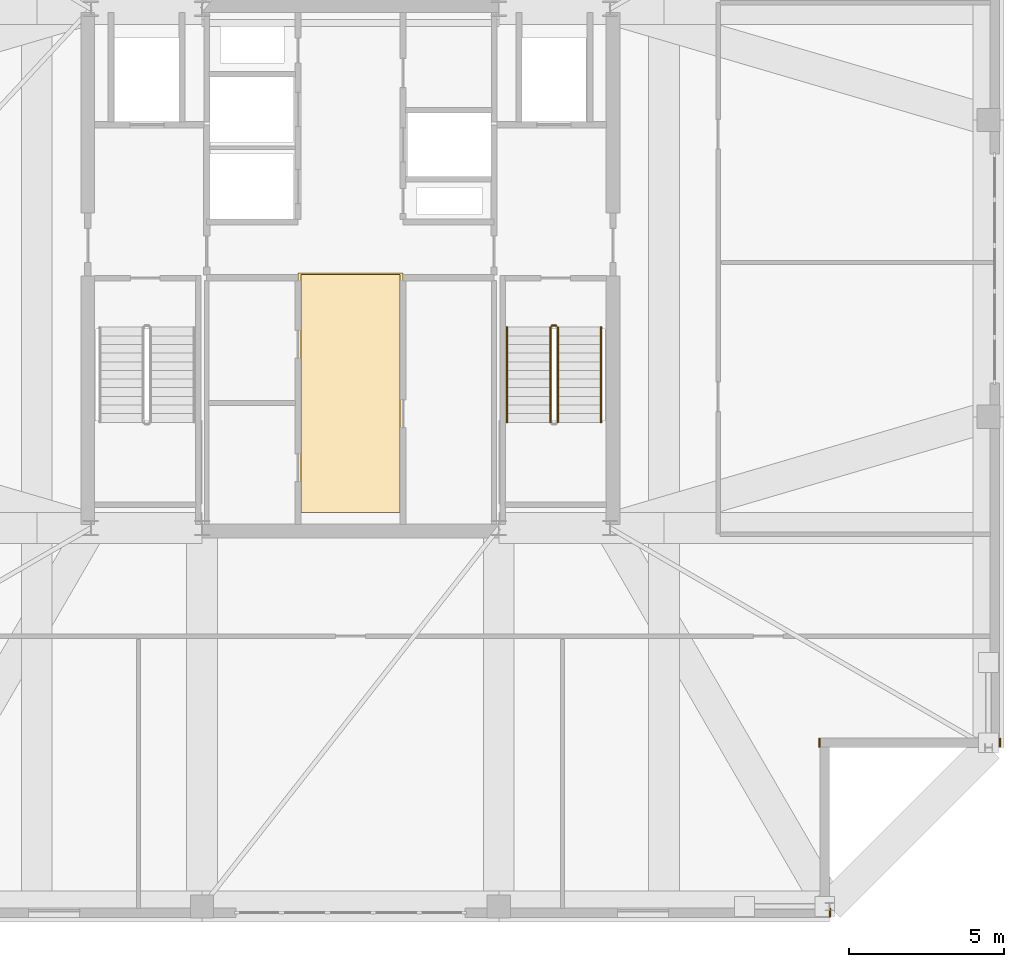
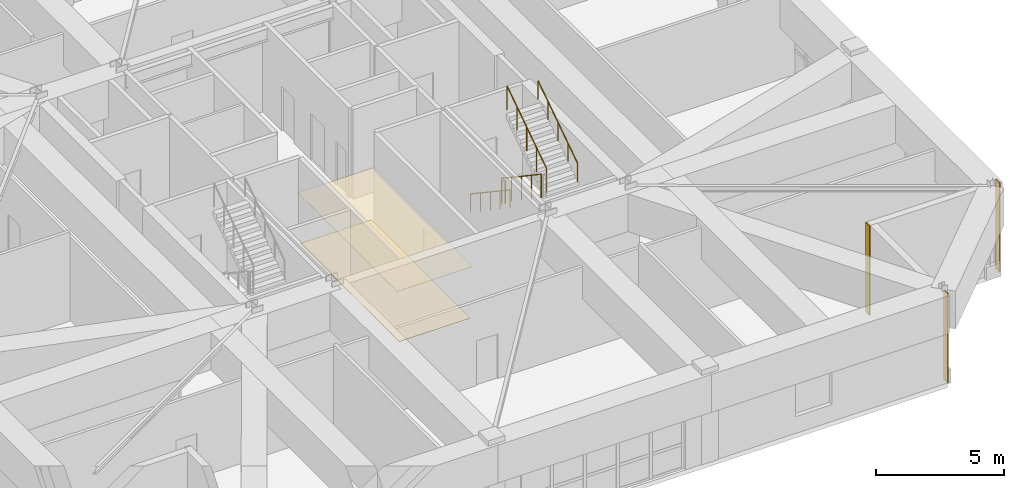
# One storey, part 16 of 17: 5 coverings, 5 railings.
"""IFC4 building model written with IfcOpenShell, lengths in metres."""

from ifc_helpers import new_model, si_unit, direction, frame, frame_2d, origin, origin_2d, place, context, subcontext, project, spatial, polyline, rectangle, circle, outline, extrude, material, layer, layer_set, type_object, element, save


model = new_model("IFC4")

# Units and contexts
model_context = context("Model", 3, precision=1e-05, world=origin(), true_north=direction((0.0, 1.0)))
body_context = subcontext(model_context, "Body", "Model", "MODEL_VIEW")
ifc_project = project(units=[si_unit("LENGTHUNIT", "METRE"), si_unit("AREAUNIT", "SQUARE_METRE"), si_unit("VOLUMEUNIT", "CUBIC_METRE"), si_unit("PLANEANGLEUNIT", "RADIAN"), si_unit("MASSUNIT", "GRAM", prefix="KILO")], contexts=[model_context])

# Site, building, storey
site_placement = place(None, origin())
site = spatial("IfcSite", under=ifc_project, at=site_placement, CompositionType="ELEMENT")
building_placement = place(site_placement, origin())
building = spatial("IfcBuilding", under=site, at=building_placement, Name="Cairnveth Concourse Tower", CompositionType="ELEMENT")
storey_placement = place(building_placement, frame((0.0, 0.0, 320.0)))
storey = spatial("IfcBuildingStorey", under=building, at=storey_placement, Name="L88", CompositionType="ELEMENT", Elevation=320.0)

# Coverings
ifc_material_1 = material(Name="Acoustic Mineral Fibre Ceiling", Category="gypsum")
ifc_layer_1 = layer(ifc_material_1, 0.02490234375)
ifc_layer_set_1 = layer_set([ifc_layer_1], Name="Acoustic Mineral Fibre Ceiling")
covering_type_1 = type_object("IfcCoveringType", Name="ACOUSTIC MINERAL FIBRE CEILING 25", PredefinedType="CEILING", material=ifc_layer_set_1)
covering_1_placement = place(storey_placement, frame((0.0, 0.0, 2.409912109375)))
element("IfcCovering", 1, at=covering_1_placement, inside=storey, type_object=covering_type_1, Name="Lift Lobby Acoustic Ceiling L88", PredefinedType="CEILING", context=body_context, shape_type="SweptSolid", body=[
    extrude(outline(polyline([(50.300048828125, 31.10009765625), (53.699951171875, 31.10009765625), (53.699951171875, 38.85009765625), (50.300048828125, 38.85009765625), (50.300048828125, 31.10009765625)])), origin(), (0.0, 0.0, 1.0), 0.025146484375),
])
ifc_material_2 = material(Name="Dressed Melbourne Bluestone Cladding", Category="masonry")
ifc_layer_2 = layer(ifc_material_2, 0.050048828125)
ifc_layer_set_2 = layer_set([ifc_layer_2], Name="Dressed Melbourne Bluestone Cladding")
covering_type_2 = type_object("IfcCoveringType", Name="DRESSED BLUESTONE PLINTH CLADDING 50", PredefinedType="CLADDING", material=ifc_layer_set_2)
for number, where, z_axis, x_axis, name in (
    (2, (73.02001953125, 23.800048828125, 0.0), (0.0, 0.0, 1.0), (0.0, -1.0, 0.0), "Melbourne Bluestone Corner Quoin L88-1343"),
    (3, (67.179931640625, 23.800048828125, 0.0), (0.0, 0.0, 1.0), (0.0, -1.0, 0.0), "Melbourne Bluestone Corner Quoin L88-1344"),
    (4, (67.52001953125, 18.300048828125, 0.0), (0.0, 0.0, 1.0), (0.0, -1.0, 0.0), "Melbourne Bluestone Corner Quoin L88-1345"),
):
    element("IfcCovering", number, at=place(storey_placement, frame(where, z_axis=z_axis, x_axis=x_axis)), inside=storey, type_object=covering_type_2, Name=name, PredefinedType="CLADDING", context=body_context, shape_type="SweptSolid", body=[
        extrude(rectangle(XDim=0.300048828125, YDim=0.050048828125, at=frame_2d((0.14990234375, 0.0))), origin(), (0.0, 0.0, 1.0), 4.25),
    ])

# Railings
ifc_material_3 = material(Name="Steel Grade 350", Category="steel")
railing_type_1 = type_object("IfcRailingType", Name="STAIR GUARDRAIL 1150", PredefinedType="GUARDRAIL", material=ifc_material_3)
railing_1_placement = place(storey_placement, frame((58.469970703125, 37.10009765625, 0.1875)))
element("IfcRailing", 5, at=railing_1_placement, inside=storey, type_object=railing_type_1, Name="L88 ST-2 stair guard 1", PredefinedType="GUARDRAIL", context=body_context, shape_type="SweptSolid", body=[
    extrude(circle(Radius=0.02392578125, at=origin_2d()), frame((0.0, 0.0, 1.1259765625), z_axis=(0.0, -0.830913701846, 0.55640131208), x_axis=(1.0, 0.0, 0.0)), (0.0, 0.0, 1.0), 3.706787109375),
    extrude(circle(Radius=0.02099609375, at=origin_2d()), origin(), (0.0, 0.0, 1.0), 1.101806640625),
    extrude(circle(Radius=0.02099609375, at=origin_2d()), frame((0.0, -0.77001953125, 0.515625)), (0.0, 0.0, 1.0), 1.101806640625),
    extrude(circle(Radius=0.02099609375, at=origin_2d()), frame((0.0, -1.5400390625, 1.03125)), (0.0, 0.0, 1.0), 1.101806640625),
    extrude(circle(Radius=0.02099609375, at=origin_2d()), frame((0.0, -2.31005859375, 1.546875)), (0.0, 0.0, 1.0), 1.101806640625),
    extrude(circle(Radius=0.02099609375, at=origin_2d()), frame((0.0, -3.080078125, 2.0625)), (0.0, 0.0, 1.0), 1.101806640625),
])
railing_2_placement = place(storey_placement, frame((58.7099609375, 34.02001953125, 2.4375)))
element("IfcRailing", 6, at=railing_2_placement, inside=storey, type_object=railing_type_1, Name="L88 ST-2 stair guard 3", PredefinedType="GUARDRAIL", context=body_context, shape_type="SweptSolid", body=[
    extrude(circle(Radius=0.02392578125, at=origin_2d()), frame((0.0, 0.0, 1.1259765625), z_axis=(0.0, 0.830913701846, 0.55640131208), x_axis=(-1.0, 0.0, 0.0)), (0.0, 0.0, 1.0), 3.706787109375),
    extrude(circle(Radius=0.02099609375, at=origin_2d()), origin(), (0.0, 0.0, 1.0), 1.101806640625),
    extrude(circle(Radius=0.02099609375, at=origin_2d()), frame((0.0, 0.77001953125, 0.515625)), (0.0, 0.0, 1.0), 1.101806640625),
    extrude(circle(Radius=0.02099609375, at=origin_2d()), frame((0.0, 1.5400390625, 1.03125)), (0.0, 0.0, 1.0), 1.101806640625),
    extrude(circle(Radius=0.02099609375, at=origin_2d()), frame((0.0, 2.31005859375, 1.546875)), (0.0, 0.0, 1.0), 1.101806640625),
    extrude(circle(Radius=0.02099609375, at=origin_2d()), frame((0.0, 3.080078125, 2.0625)), (0.0, 0.0, 1.0), 1.101806640625),
])
railing_3_placement = place(storey_placement, frame((58.52001953125, 37.14990234375, 0.0)))
element("IfcRailing", 7, at=railing_3_placement, inside=storey, type_object=railing_type_1, Name="L88 ST-2 stair guard 4", PredefinedType="GUARDRAIL", context=body_context, shape_type="SweptSolid", body=[
    extrude(circle(Radius=0.02392578125, at=origin_2d()), frame((0.0, 0.0, 1.1259765625), z_axis=(1.0, 0.0, 0.0), x_axis=(0.0, 1.0, 0.0)), (0.0, 0.0, 1.0), 0.139892578125),
    extrude(circle(Radius=0.02099609375, at=origin_2d()), origin(), (0.0, 0.0, 1.0), 1.101806640625),
    extrude(circle(Radius=0.02099609375, at=origin_2d()), frame((0.139892578125, 0.0, 0.0)), (0.0, 0.0, 1.0), 1.101806640625),
])
railing_type_2 = type_object("IfcRailingType", Name="STAIR WALL HANDRAIL 900", PredefinedType="HANDRAIL", material=ifc_material_3)
railing_4_placement = place(storey_placement, frame((57.070068359375, 37.10009765625, 0.1875)))
element("IfcRailing", 8, at=railing_4_placement, inside=storey, type_object=railing_type_2, Name="L88 ST-2 stair handrail 1", PredefinedType="HANDRAIL", context=body_context, shape_type="SweptSolid", body=[
    extrude(circle(Radius=0.02392578125, at=origin_2d()), frame((0.0, 0.0, 0.8759765625), z_axis=(0.0, -0.830913701846, 0.55640131208), x_axis=(1.0, 0.0, 0.0)), (0.0, 0.0, 1.0), 3.706787109375),
    extrude(circle(Radius=0.02099609375, at=origin_2d()), origin(), (0.0, 0.0, 1.0), 0.851806640625),
    extrude(circle(Radius=0.02099609375, at=origin_2d()), frame((0.0, -0.77001953125, 0.515625)), (0.0, 0.0, 1.0), 0.851806640625),
    extrude(circle(Radius=0.02099609375, at=origin_2d()), frame((0.0, -1.5400390625, 1.03125)), (0.0, 0.0, 1.0), 0.851806640625),
    extrude(circle(Radius=0.02099609375, at=origin_2d()), frame((0.0, -2.31005859375, 1.546875)), (0.0, 0.0, 1.0), 0.851806640625),
    extrude(circle(Radius=0.02099609375, at=origin_2d()), frame((0.0, -3.080078125, 2.0625)), (0.0, 0.0, 1.0), 0.851806640625),
])
railing_5_placement = place(storey_placement, frame((60.110107421875, 34.02001953125, 2.4375)))
element("IfcRailing", 9, at=railing_5_placement, inside=storey, type_object=railing_type_2, Name="L88 ST-2 stair handrail 2", PredefinedType="HANDRAIL", context=body_context, shape_type="SweptSolid", body=[
    extrude(circle(Radius=0.02392578125, at=origin_2d()), frame((0.0, 0.0, 0.8759765625), z_axis=(0.0, 0.830913701846, 0.55640131208), x_axis=(-1.0, 0.0, 0.0)), (0.0, 0.0, 1.0), 3.706787109375),
    extrude(circle(Radius=0.02099609375, at=origin_2d()), origin(), (0.0, 0.0, 1.0), 0.851806640625),
    extrude(circle(Radius=0.02099609375, at=origin_2d()), frame((0.0, 0.77001953125, 0.515625)), (0.0, 0.0, 1.0), 0.851806640625),
    extrude(circle(Radius=0.02099609375, at=origin_2d()), frame((0.0, 1.5400390625, 1.03125)), (0.0, 0.0, 1.0), 0.851806640625),
    extrude(circle(Radius=0.02099609375, at=origin_2d()), frame((0.0, 2.31005859375, 1.546875)), (0.0, 0.0, 1.0), 0.851806640625),
    extrude(circle(Radius=0.02099609375, at=origin_2d()), frame((0.0, 3.080078125, 2.0625)), (0.0, 0.0, 1.0), 0.851806640625),
])

# Covering
ifc_material_4 = material(Name="Vitrified Stoneware Tile Flooring", Category="masonry")
ifc_layer_3 = layer(ifc_material_4, 0.02001953125)
ifc_layer_set_3 = layer_set([ifc_layer_3], Name="Vitrified Stoneware Tile Flooring")
covering_type_3 = type_object("IfcCoveringType", Name="VITRIFIED STONEWARE LOBBY FLOORING 20", PredefinedType="FLOORING", material=ifc_layer_set_3)
covering_2_placement = place(storey_placement, origin())
element("IfcCovering", 10, at=covering_2_placement, inside=storey, type_object=covering_type_3, Name="Lift Lobby Stoneware Flooring L88", PredefinedType="FLOORING", context=body_context, shape_type="SweptSolid", body=[
    extrude(outline(polyline([(50.39990234375, 31.10009765625), (53.60009765625, 31.10009765625), (53.60009765625, 38.800048828125), (50.39990234375, 38.800048828125), (50.39990234375, 31.10009765625)])), origin(), (0.0, 0.0, 1.0), 0.02001953125),
])

save(model, "model.ifc")
